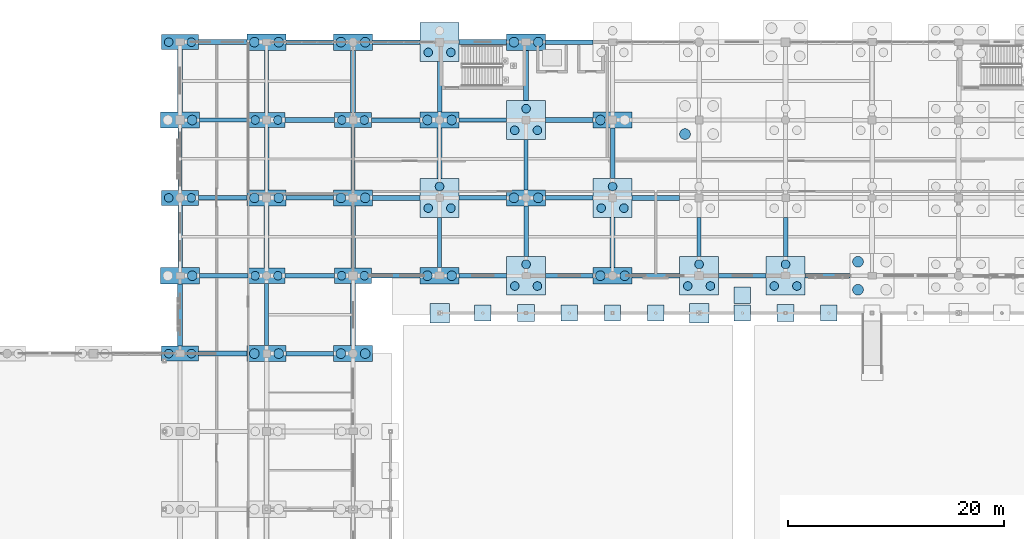
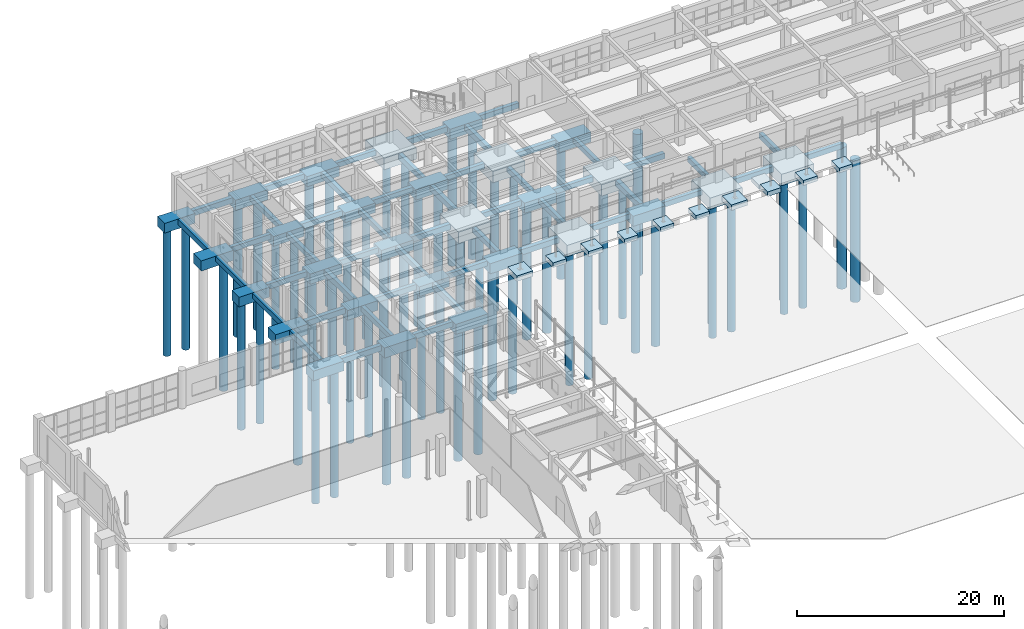
# One storey, part 4 of 166: 87 footings, 62 piles.
"""IFC4 building model written with IfcOpenShell, lengths in metres."""

from ifc_helpers import new_model, si_unit, direction, frame, origin, origin_2d, place, context, subcontext, project, spatial, rectangle, circle, extrude, material, material_profile, profile_set, type_object, element, save


model = new_model("IFC4")

# Units and contexts
model_context = context("Model", 3, precision=1e-05, world=origin(), true_north=direction((0.0, 1.0)))
body_context = subcontext(model_context, "Body", "Model", "MODEL_VIEW")
ifc_project = project(units=[si_unit("LENGTHUNIT", "METRE"), si_unit("AREAUNIT", "SQUARE_METRE"), si_unit("VOLUMEUNIT", "CUBIC_METRE"), si_unit("PLANEANGLEUNIT", "RADIAN"), si_unit("MASSUNIT", "GRAM", prefix="KILO")], contexts=[model_context])

# Site, building, storey
site_placement = place(None, origin())
site = spatial("IfcSite", under=ifc_project, at=site_placement, CompositionType="ELEMENT")
building_placement = place(site_placement, origin())
building = spatial("IfcBuilding", under=site, at=building_placement, Name="Kharva Crest Polytechnic", CompositionType="ELEMENT")
storey_placement = place(building_placement, origin())
storey = spatial("IfcBuildingStorey", under=building, at=storey_placement, Name="L00", CompositionType="ELEMENT", Elevation=0.0)

# Footings
ifc_material = material(Name="Concrete C35/45", Category="concrete")
footing_type_1 = type_object("IfcFootingType", Name="FTG-GB-400X600", PredefinedType="FOOTING_BEAM", material=ifc_material)
footing_1_placement = place(storey_placement, frame((51.949951171875, 100.39990234375, -1.005126953125), z_axis=(0.0, 0.0, 1.0), x_axis=(1.0, 0.0, 0.0)))
element("IfcFooting", 1, at=footing_1_placement, inside=storey, type_object=footing_type_1, Name="L00 Ground Tie Beam P/7-8", PredefinedType="FOOTING_BEAM", context=body_context, shape_type="SweptSolid", body=[
    extrude(rectangle(XDim=4.5, YDim=0.39990234375, at=origin_2d()), origin(), (0.0, 0.0, 1.0), 0.60009765625),
])
for number, where, z_axis, x_axis, name in (
    (2, (76.0, 100.39990234375, -1.005126953125), (0.0, 0.0, 1.0), (1.0, 0.0, 0.0), "L00 Ground Tie Beam P/10-11"),
    (3, (44.0, 107.60009765625, -1.005126953125), (0.0, 0.0, 1.0), (1.0, 0.0, 0.0), "L00 Ground Tie Beam Q/6-7"),
    (4, (68.0, 107.60009765625, -1.005126953125), (0.0, 0.0, 1.0), (1.0, 0.0, 0.0), "L00 Ground Tie Beam Q/9-10"),
):
    element("IfcFooting", number, at=place(storey_placement, frame(where, z_axis=z_axis, x_axis=x_axis)), inside=storey, type_object=footing_type_1, Name=name, PredefinedType="FOOTING_BEAM", context=body_context, shape_type="SweptSolid", body=[
        extrude(rectangle(XDim=4.39990234375, YDim=0.39990234375, at=origin_2d()), origin(), (0.0, 0.0, 1.0), 0.60009765625),
    ])
footing_2_placement = place(storey_placement, frame((36.050048828125, 114.800048828125, -1.005126953125), z_axis=(0.0, 0.0, 1.0), x_axis=(1.0, 0.0, 0.0)))
element("IfcFooting", 5, at=footing_2_placement, inside=storey, type_object=footing_type_1, Name="L00 Ground Tie Beam R/5-6", PredefinedType="FOOTING_BEAM", context=body_context, shape_type="SweptSolid", body=[
    extrude(rectangle(XDim=4.5, YDim=0.39990234375, at=origin_2d()), origin(), (0.0, 0.0, 1.0), 0.60009765625),
])
for number, where, z_axis, x_axis, name in (
    (6, (60.0, 114.800048828125, -1.005126953125), (0.0, 0.0, 1.0), (1.0, 0.0, 0.0), "L00 Ground Tie Beam R/8-9"),
    (7, (52.0, 122.0, -1.005126953125), (0.0, 0.0, 1.0), (1.0, 0.0, 0.0), "L00 Ground Tie Beam S/7-8"),
):
    element("IfcFooting", number, at=place(storey_placement, frame(where, z_axis=z_axis, x_axis=x_axis)), inside=storey, type_object=footing_type_1, Name=name, PredefinedType="FOOTING_BEAM", context=body_context, shape_type="SweptSolid", body=[
        extrude(rectangle(XDim=4.39990234375, YDim=0.39990234375, at=origin_2d()), origin(), (0.0, 0.0, 1.0), 0.60009765625),
    ])
for number, where, z_axis, x_axis, name in (
    (8, (32.0, 111.175048828125, -1.005126953125), (0.0, 0.0, 1.0), (0.0, 1.0, 0.0), "L00 Ground Tie Beam 5/Q-R"),
    (9, (40.0, 96.824951171875, -1.005126953125), (0.0, 0.0, 1.0), (0.0, 1.0, 0.0), "L00 Ground Tie Beam 6/N-P"),
    (10, (40.0, 118.375, -1.005126953125), (0.0, 0.0, 1.0), (0.0, 1.0, 0.0), "L00 Ground Tie Beam 6/R-S"),
    (11, (48.0, 111.22509765625, -1.005126953125), (0.0, 0.0, 1.0), (0.0, 1.0, 0.0), "L00 Ground Tie Beam 7/Q-R"),
):
    element("IfcFooting", number, at=place(storey_placement, frame(where, z_axis=z_axis, x_axis=x_axis)), inside=storey, type_object=footing_type_1, Name=name, PredefinedType="FOOTING_BEAM", context=body_context, shape_type="SweptSolid", body=[
        extrude(rectangle(XDim=5.75, YDim=0.39990234375, at=origin_2d()), origin(), (0.0, 0.0, 1.0), 0.60009765625),
    ])
for number, where, z_axis, x_axis, name in (
    (12, (56.0, 103.47509765625, -1.005126953125), (0.0, 0.0, 1.0), (0.0, 1.0, 0.0), "L00 Ground Tie Beam 8/P-Q"),
    (13, (64.0, 110.675048828125, -1.005126953125), (0.0, 0.0, 1.0), (0.0, 1.0, 0.0), "L00 Ground Tie Beam 9/Q-R"),
):
    element("IfcFooting", number, at=place(storey_placement, frame(where, z_axis=z_axis, x_axis=x_axis)), inside=storey, type_object=footing_type_1, Name=name, PredefinedType="FOOTING_BEAM", context=body_context, shape_type="SweptSolid", body=[
        extrude(rectangle(XDim=4.64990234375, YDim=0.39990234375, at=origin_2d()), origin(), (0.0, 0.0, 1.0), 0.60009765625),
    ])
footing_3_placement = place(storey_placement, frame((80.0, 104.0, -1.005126953125), z_axis=(0.0, 0.0, 1.0), x_axis=(0.0, 1.0, 0.0)))
element("IfcFooting", 14, at=footing_3_placement, inside=storey, type_object=footing_type_1, Name="L00 Ground Tie Beam 11/P-Q", PredefinedType="FOOTING_BEAM", context=body_context, shape_type="SweptSolid", body=[
    extrude(rectangle(XDim=3.60009765625, YDim=0.39990234375, at=origin_2d()), origin(), (0.0, 0.0, 1.0), 0.60009765625),
])
footing_type_2 = type_object("IfcFootingType", Name="FTG-GB-420X620", PredefinedType="FOOTING_BEAM", material=ifc_material)
footing_4_placement = place(storey_placement, frame((44.0, 93.199951171875, -1.025146484375), z_axis=(0.0, 0.0, 1.0), x_axis=(1.0, 0.0, 0.0)))
element("IfcFooting", 15, at=footing_4_placement, inside=storey, type_object=footing_type_2, Name="L00 Ground Tie Beam N/6-7", PredefinedType="FOOTING_BEAM", context=body_context, shape_type="SweptSolid", body=[
    extrude(rectangle(XDim=4.39990234375, YDim=0.419921875, at=origin_2d()), origin(), (0.0, 0.0, 1.0), 0.6201171875),
])
footing_5_placement = place(storey_placement, frame((44.0, 100.39990234375, -1.025146484375), z_axis=(0.0, 0.0, 1.0), x_axis=(1.0, 0.0, 0.0)))
element("IfcFooting", 16, at=footing_5_placement, inside=storey, type_object=footing_type_2, Name="L00 Ground Tie Beam P/6-7", PredefinedType="FOOTING_BEAM", context=body_context, shape_type="SweptSolid", body=[
    extrude(rectangle(XDim=4.60009765625, YDim=0.419921875, at=origin_2d()), origin(), (0.0, 0.0, 1.0), 0.6201171875),
])
footing_6_placement = place(storey_placement, frame((68.0, 100.39990234375, -1.025146484375), z_axis=(0.0, 0.0, 1.0), x_axis=(1.0, 0.0, 0.0)))
element("IfcFooting", 17, at=footing_6_placement, inside=storey, type_object=footing_type_2, Name="L00 Ground Tie Beam P/9-10", PredefinedType="FOOTING_BEAM", context=body_context, shape_type="SweptSolid", body=[
    extrude(rectangle(XDim=4.39990234375, YDim=0.419921875, at=origin_2d()), origin(), (0.0, 0.0, 1.0), 0.6201171875),
])
footing_7_placement = place(storey_placement, frame((91.875, 100.39990234375, -1.025146484375), z_axis=(0.0, 0.0, 1.0), x_axis=(1.0, 0.0, 0.0)))
element("IfcFooting", 18, at=footing_7_placement, inside=storey, type_object=footing_type_2, Name="L00 Ground Tie Beam P/12-13", PredefinedType="FOOTING_BEAM", context=body_context, shape_type="SweptSolid", body=[
    extrude(rectangle(XDim=4.14990234375, YDim=0.419921875, at=origin_2d()), origin(), (0.0, 0.0, 1.0), 0.6201171875),
])
footing_8_placement = place(storey_placement, frame((35.949951171875, 107.60009765625, -1.025146484375), z_axis=(0.0, 0.0, 1.0), x_axis=(1.0, 0.0, 0.0)))
element("IfcFooting", 19, at=footing_8_placement, inside=storey, type_object=footing_type_2, Name="L00 Ground Tie Beam Q/5-6", PredefinedType="FOOTING_BEAM", context=body_context, shape_type="SweptSolid", body=[
    extrude(rectangle(XDim=4.5, YDim=0.419921875, at=origin_2d()), origin(), (0.0, 0.0, 1.0), 0.6201171875),
])
footing_9_placement = place(storey_placement, frame((60.0, 107.60009765625, -1.025146484375), z_axis=(0.0, 0.0, 1.0), x_axis=(1.0, 0.0, 0.0)))
element("IfcFooting", 20, at=footing_9_placement, inside=storey, type_object=footing_type_2, Name="L00 Ground Tie Beam Q/8-9", PredefinedType="FOOTING_BEAM", context=body_context, shape_type="SweptSolid", body=[
    extrude(rectangle(XDim=4.39990234375, YDim=0.419921875, at=origin_2d()), origin(), (0.0, 0.0, 1.0), 0.6201171875),
])
footing_10_placement = place(storey_placement, frame((51.949951171875, 114.800048828125, -1.025146484375), z_axis=(0.0, 0.0, 1.0), x_axis=(1.0, 0.0, 0.0)))
element("IfcFooting", 21, at=footing_10_placement, inside=storey, type_object=footing_type_2, Name="L00 Ground Tie Beam R/7-8", PredefinedType="FOOTING_BEAM", context=body_context, shape_type="SweptSolid", body=[
    extrude(rectangle(XDim=4.5, YDim=0.419921875, at=origin_2d()), origin(), (0.0, 0.0, 1.0), 0.6201171875),
])
for number, where, z_axis, x_axis, name in (
    (22, (44.0, 122.0, -1.025146484375), (0.0, 0.0, 1.0), (1.0, 0.0, 0.0), "L00 Ground Tie Beam S/6-7"),
    (23, (68.0, 122.0, -1.025146484375), (0.0, 0.0, 1.0), (1.0, 0.0, 0.0), "L00 Ground Tie Beam S/9-10"),
):
    element("IfcFooting", number, at=place(storey_placement, frame(where, z_axis=z_axis, x_axis=x_axis)), inside=storey, type_object=footing_type_2, Name=name, PredefinedType="FOOTING_BEAM", context=body_context, shape_type="SweptSolid", body=[
        extrude(rectangle(XDim=4.39990234375, YDim=0.419921875, at=origin_2d()), origin(), (0.0, 0.0, 1.0), 0.6201171875),
    ])
for number, where, z_axis, x_axis, name in (
    (24, (32.0, 104.02490234375, -1.025146484375), (0.0, 0.0, 1.0), (0.0, 1.0, 0.0), "L00 Ground Tie Beam 5/P-Q"),
    (25, (40.0, 111.22509765625, -1.025146484375), (0.0, 0.0, 1.0), (0.0, 1.0, 0.0), "L00 Ground Tie Beam 6/Q-R"),
    (26, (48.0, 103.97509765625, -1.025146484375), (0.0, 0.0, 1.0), (0.0, 1.0, 0.0), "L00 Ground Tie Beam 7/P-Q"),
):
    element("IfcFooting", number, at=place(storey_placement, frame(where, z_axis=z_axis, x_axis=x_axis)), inside=storey, type_object=footing_type_2, Name=name, PredefinedType="FOOTING_BEAM", context=body_context, shape_type="SweptSolid", body=[
        extrude(rectangle(XDim=5.75, YDim=0.419921875, at=origin_2d()), origin(), (0.0, 0.0, 1.0), 0.6201171875),
    ])
for number, where, z_axis, x_axis, name in (
    (27, (56.0, 117.875, -1.025146484375), (0.0, 0.0, 1.0), (0.0, 1.0, 0.0), "L00 Ground Tie Beam 8/R-S"),
    (28, (64.0, 104.52490234375, -1.025146484375), (0.0, 0.0, 1.0), (0.0, 1.0, 0.0), "L00 Ground Tie Beam 9/P-Q"),
    (29, (72.0, 111.72509765625, -1.025146484375), (0.0, 0.0, 1.0), (0.0, 1.0, 0.0), "L00 Ground Tie Beam 10/Q-R"),
):
    element("IfcFooting", number, at=place(storey_placement, frame(where, z_axis=z_axis, x_axis=x_axis)), inside=storey, type_object=footing_type_2, Name=name, PredefinedType="FOOTING_BEAM", context=body_context, shape_type="SweptSolid", body=[
        extrude(rectangle(XDim=4.64990234375, YDim=0.419921875, at=origin_2d()), origin(), (0.0, 0.0, 1.0), 0.6201171875),
    ])
footing_11_placement = place(storey_placement, frame((88.0, 104.0, -1.025146484375), z_axis=(0.0, 0.0, 1.0), x_axis=(0.0, 1.0, 0.0)))
element("IfcFooting", 30, at=footing_11_placement, inside=storey, type_object=footing_type_2, Name="L00 Ground Tie Beam 12/P-Q", PredefinedType="FOOTING_BEAM", context=body_context, shape_type="SweptSolid", body=[
    extrude(rectangle(XDim=3.60009765625, YDim=0.419921875, at=origin_2d()), origin(), (0.0, 0.0, 1.0), 0.6201171875),
])
footing_type_3 = type_object("IfcFootingType", Name="FTG-GB-450X650", PredefinedType="FOOTING_BEAM", material=ifc_material)
for number, where, z_axis, x_axis, name in (
    (31, (35.949951171875, 93.199951171875, -1.054931640625), (0.0, 0.0, 1.0), (1.0, 0.0, 0.0), "L00 Ground Tie Beam N/5-6"),
    (32, (36.050048828125, 100.39990234375, -1.054931640625), (0.0, 0.0, 1.0), (1.0, 0.0, 0.0), "L00 Ground Tie Beam P/5-6"),
):
    element("IfcFooting", number, at=place(storey_placement, frame(where, z_axis=z_axis, x_axis=x_axis)), inside=storey, type_object=footing_type_3, Name=name, PredefinedType="FOOTING_BEAM", context=body_context, shape_type="SweptSolid", body=[
        extrude(rectangle(XDim=4.5, YDim=0.449951171875, at=origin_2d()), origin(), (0.0, 0.0, 1.0), 0.64990234375),
    ])
for number, where, z_axis, x_axis, name in (
    (33, (60.0, 100.39990234375, -1.054931640625), (0.0, 0.0, 1.0), (1.0, 0.0, 0.0), "L00 Ground Tie Beam P/8-9"),
    (34, (84.0, 100.39990234375, -1.054931640625), (0.0, 0.0, 1.0), (1.0, 0.0, 0.0), "L00 Ground Tie Beam P/11-12"),
    (35, (52.0, 107.60009765625, -1.054931640625), (0.0, 0.0, 1.0), (1.0, 0.0, 0.0), "L00 Ground Tie Beam Q/7-8"),
    (36, (76.0, 107.60009765625, -1.054931640625), (0.0, 0.0, 1.0), (1.0, 0.0, 0.0), "L00 Ground Tie Beam Q/10-11"),
):
    element("IfcFooting", number, at=place(storey_placement, frame(where, z_axis=z_axis, x_axis=x_axis)), inside=storey, type_object=footing_type_3, Name=name, PredefinedType="FOOTING_BEAM", context=body_context, shape_type="SweptSolid", body=[
        extrude(rectangle(XDim=4.39990234375, YDim=0.449951171875, at=origin_2d()), origin(), (0.0, 0.0, 1.0), 0.64990234375),
    ])
footing_12_placement = place(storey_placement, frame((44.0, 114.800048828125, -1.054931640625), z_axis=(0.0, 0.0, 1.0), x_axis=(1.0, 0.0, 0.0)))
element("IfcFooting", 37, at=footing_12_placement, inside=storey, type_object=footing_type_3, Name="L00 Ground Tie Beam R/6-7", PredefinedType="FOOTING_BEAM", context=body_context, shape_type="SweptSolid", body=[
    extrude(rectangle(XDim=4.60009765625, YDim=0.449951171875, at=origin_2d()), origin(), (0.0, 0.0, 1.0), 0.64990234375),
])
footing_13_placement = place(storey_placement, frame((68.0, 114.800048828125, -1.054931640625), z_axis=(0.0, 0.0, 1.0), x_axis=(1.0, 0.0, 0.0)))
element("IfcFooting", 38, at=footing_13_placement, inside=storey, type_object=footing_type_3, Name="L00 Ground Tie Beam R/9-10", PredefinedType="FOOTING_BEAM", context=body_context, shape_type="SweptSolid", body=[
    extrude(rectangle(XDim=4.39990234375, YDim=0.449951171875, at=origin_2d()), origin(), (0.0, 0.0, 1.0), 0.64990234375),
])
footing_14_placement = place(storey_placement, frame((35.949951171875, 122.0, -1.054931640625), z_axis=(0.0, 0.0, 1.0), x_axis=(1.0, 0.0, 0.0)))
element("IfcFooting", 39, at=footing_14_placement, inside=storey, type_object=footing_type_3, Name="L00 Ground Tie Beam S/5-6", PredefinedType="FOOTING_BEAM", context=body_context, shape_type="SweptSolid", body=[
    extrude(rectangle(XDim=4.5, YDim=0.449951171875, at=origin_2d()), origin(), (0.0, 0.0, 1.0), 0.64990234375),
])
footing_15_placement = place(storey_placement, frame((60.0, 122.0, -1.054931640625), z_axis=(0.0, 0.0, 1.0), x_axis=(1.0, 0.0, 0.0)))
element("IfcFooting", 40, at=footing_15_placement, inside=storey, type_object=footing_type_3, Name="L00 Ground Tie Beam S/8-9", PredefinedType="FOOTING_BEAM", context=body_context, shape_type="SweptSolid", body=[
    extrude(rectangle(XDim=4.39990234375, YDim=0.449951171875, at=origin_2d()), origin(), (0.0, 0.0, 1.0), 0.64990234375),
])
for number, where, z_axis, x_axis, name in (
    (41, (32.0, 96.77490234375, -1.054931640625), (0.0, 0.0, 1.0), (0.0, 1.0, 0.0), "L00 Ground Tie Beam 5/N-P"),
    (42, (32.0, 118.425048828125, -1.054931640625), (0.0, 0.0, 1.0), (0.0, 1.0, 0.0), "L00 Ground Tie Beam 5/R-S"),
    (43, (40.0, 103.97509765625, -1.054931640625), (0.0, 0.0, 1.0), (0.0, 1.0, 0.0), "L00 Ground Tie Beam 6/P-Q"),
    (44, (48.0, 96.824951171875, -1.054931640625), (0.0, 0.0, 1.0), (0.0, 1.0, 0.0), "L00 Ground Tie Beam 7/N-P"),
    (45, (48.0, 118.375, -1.054931640625), (0.0, 0.0, 1.0), (0.0, 1.0, 0.0), "L00 Ground Tie Beam 7/R-S"),
):
    element("IfcFooting", number, at=place(storey_placement, frame(where, z_axis=z_axis, x_axis=x_axis)), inside=storey, type_object=footing_type_3, Name=name, PredefinedType="FOOTING_BEAM", context=body_context, shape_type="SweptSolid", body=[
        extrude(rectangle(XDim=5.75, YDim=0.449951171875, at=origin_2d()), origin(), (0.0, 0.0, 1.0), 0.64990234375),
    ])
for number, where, z_axis, x_axis, name in (
    (46, (56.0, 111.72509765625, -1.054931640625), (0.0, 0.0, 1.0), (0.0, 1.0, 0.0), "L00 Ground Tie Beam 8/Q-R"),
    (47, (64.0, 118.925048828125, -1.054931640625), (0.0, 0.0, 1.0), (0.0, 1.0, 0.0), "L00 Ground Tie Beam 9/R-S"),
    (48, (72.0, 103.47509765625, -1.054931640625), (0.0, 0.0, 1.0), (0.0, 1.0, 0.0), "L00 Ground Tie Beam 10/P-Q"),
):
    element("IfcFooting", number, at=place(storey_placement, frame(where, z_axis=z_axis, x_axis=x_axis)), inside=storey, type_object=footing_type_3, Name=name, PredefinedType="FOOTING_BEAM", context=body_context, shape_type="SweptSolid", body=[
        extrude(rectangle(XDim=4.64990234375, YDim=0.449951171875, at=origin_2d()), origin(), (0.0, 0.0, 1.0), 0.64990234375),
    ])
footing_type_4 = type_object("IfcFootingType", Name="FTG-PAD-1500X1500", PredefinedType="PAD_FOOTING", material=ifc_material)
for number, where, z_axis, x_axis, name in (
    (49, (72.0, 96.949951171875, -0.5498046875), (0.0, 0.0, 1.0), (1.0, 0.0, 0.0), "L00 Colonnade Pad Footing VN03"),
    (50, (60.0, 96.949951171875, -0.5498046875), (0.0, 0.0, 1.0), (1.0, 0.0, 0.0), "L00 Colonnade Mid Pad Footing VNM01"),
    (51, (68.0, 96.949951171875, -0.5498046875), (0.0, 0.0, 1.0), (1.0, 0.0, 0.0), "L00 Colonnade Mid Pad Footing VNM02"),
    (52, (76.0, 96.949951171875, -0.5498046875), (0.0, 0.0, 1.0), (1.0, 0.0, 0.0), "L00 Colonnade Mid Pad Footing VNM03"),
    (53, (84.0, 96.949951171875, -0.5498046875), (0.0, 0.0, 1.0), (1.0, 0.0, 0.0), "L00 Colonnade Mid Pad Footing VNM04"),
    (54, (92.0, 96.949951171875, -0.5498046875), (0.0, 0.0, 1.0), (1.0, 0.0, 0.0), "L00 Colonnade Mid Pad Footing VNM05"),
):
    element("IfcFooting", number, at=place(storey_placement, frame(where, z_axis=z_axis, x_axis=x_axis)), inside=storey, type_object=footing_type_4, Name=name, PredefinedType="PAD_FOOTING", context=body_context, shape_type="SweptSolid", body=[
        extrude(rectangle(XDim=1.5, YDim=1.5, at=origin_2d()), origin(), (0.0, 0.0, 1.0), 0.550048828125),
    ])
footing_16_placement = place(storey_placement, frame((84.0, 98.60009765625, -0.699951171875), z_axis=(0.0, 0.0, 1.0), x_axis=(1.0, 0.0, 0.0)))
element("IfcFooting", 55, at=footing_16_placement, inside=storey, type_object=footing_type_4, Name="L00 Outdoor Slab Mid Pad VER_N_L00-W", PredefinedType="PAD_FOOTING", context=body_context, shape_type="SweptSolid", body=[
    extrude(rectangle(XDim=1.5, YDim=1.5, at=origin_2d()), origin(), (0.0, 0.0, 1.0), 0.5),
])
footing_type_5 = type_object("IfcFootingType", Name="FTG-PAD-1600X1600", PredefinedType="PAD_FOOTING", material=ifc_material)
for number, where, z_axis, x_axis, name in (
    (56, (64.0, 96.949951171875, -0.60009765625), (0.0, 0.0, 1.0), (1.0, 0.0, 0.0), "L00 Colonnade Pad Footing VN02"),
    (57, (88.0, 96.949951171875, -0.60009765625), (0.0, 0.0, 1.0), (1.0, 0.0, 0.0), "L00 Colonnade Pad Footing VN05"),
):
    element("IfcFooting", number, at=place(storey_placement, frame(where, z_axis=z_axis, x_axis=x_axis)), inside=storey, type_object=footing_type_5, Name=name, PredefinedType="PAD_FOOTING", context=body_context, shape_type="SweptSolid", body=[
        extrude(rectangle(XDim=1.60009765625, YDim=1.60009765625, at=origin_2d()), origin(), (0.0, 0.0, 1.0), 0.60009765625),
    ])
footing_type_6 = type_object("IfcFootingType", Name="FTG-PAD-1800X1800", PredefinedType="PAD_FOOTING", material=ifc_material)
for number, where, z_axis, x_axis, name in (
    (58, (56.0, 96.949951171875, -0.64990234375), (0.0, 0.0, 1.0), (1.0, 0.0, 0.0), "L00 Colonnade Pad Footing VN01"),
    (59, (80.0, 96.949951171875, -0.64990234375), (0.0, 0.0, 1.0), (1.0, 0.0, 0.0), "L00 Colonnade Pad Footing VN04"),
):
    element("IfcFooting", number, at=place(storey_placement, frame(where, z_axis=z_axis, x_axis=x_axis)), inside=storey, type_object=footing_type_6, Name=name, PredefinedType="PAD_FOOTING", context=body_context, shape_type="SweptSolid", body=[
        extrude(rectangle(XDim=1.800048828125, YDim=1.800048828125, at=origin_2d()), origin(), (0.0, 0.0, 1.0), 0.64990234375),
    ])
footing_type_7 = type_object("IfcFootingType", Name="FTG-PC-3400X1400", PredefinedType="PILE_CAP", material=ifc_material)
for number, where, z_axis, x_axis, name in (
    (60, (32.0, 93.199951171875, -1.554931640625), (0.0, 0.0, 1.0), (1.0, 0.0, 0.0), "L00 Pile Cap 5/N"),
    (61, (32.0, 107.60009765625, -1.554931640625), (0.0, 0.0, 1.0), (1.0, 0.0, 0.0), "L00 Pile Cap 5/Q"),
    (62, (32.0, 122.0, -1.554931640625), (0.0, 0.0, 1.0), (1.0, 0.0, 0.0), "L00 Pile Cap 5/S"),
    (63, (40.0, 100.39990234375, -1.554931640625), (0.0, 0.0, 1.0), (1.0, 0.0, 0.0), "L00 Pile Cap 6/P"),
    (64, (40.0, 114.800048828125, -1.554931640625), (0.0, 0.0, 1.0), (1.0, 0.0, 0.0), "L00 Pile Cap 6/R"),
    (65, (48.0, 100.39990234375, -1.554931640625), (0.0, 0.0, 1.0), (1.0, 0.0, 0.0), "L00 Pile Cap 7/P"),
    (66, (48.0, 114.800048828125, -1.554931640625), (0.0, 0.0, 1.0), (1.0, 0.0, 0.0), "L00 Pile Cap 7/R"),
):
    element("IfcFooting", number, at=place(storey_placement, frame(where, z_axis=z_axis, x_axis=x_axis)), inside=storey, type_object=footing_type_7, Name=name, PredefinedType="PILE_CAP", context=body_context, shape_type="SweptSolid", body=[
        extrude(rectangle(XDim=3.39990234375, YDim=1.39990234375, at=origin_2d()), origin(), (0.0, 0.0, 1.0), 1.14990234375),
    ])
footing_type_8 = type_object("IfcFootingType", Name="FTG-PC-3600X1500", PredefinedType="PILE_CAP", material=ifc_material)
for number, where, z_axis, x_axis, name in (
    (67, (72.0, 100.39990234375, -1.60498046875), (0.0, 0.0, 1.0), (1.0, 0.0, 0.0), "L00 Pile Cap 10/P"),
    (68, (72.0, 114.800048828125, -1.60498046875), (0.0, 0.0, 1.0), (1.0, 0.0, 0.0), "L00 Pile Cap 10/R"),
    (69, (32.0, 100.39990234375, -1.60498046875), (0.0, 0.0, 1.0), (1.0, 0.0, 0.0), "L00 Pile Cap 5/P"),
    (70, (32.0, 114.800048828125, -1.60498046875), (0.0, 0.0, 1.0), (1.0, 0.0, 0.0), "L00 Pile Cap 5/R"),
    (71, (40.0, 93.199951171875, -1.60498046875), (0.0, 0.0, 1.0), (1.0, 0.0, 0.0), "L00 Pile Cap 6/N"),
    (72, (40.0, 107.60009765625, -1.60498046875), (0.0, 0.0, 1.0), (1.0, 0.0, 0.0), "L00 Pile Cap 6/Q"),
    (73, (40.0, 122.0, -1.60498046875), (0.0, 0.0, 1.0), (1.0, 0.0, 0.0), "L00 Pile Cap 6/S"),
    (74, (48.0, 93.199951171875, -1.60498046875), (0.0, 0.0, 1.0), (1.0, 0.0, 0.0), "L00 Pile Cap 7/N"),
    (75, (48.0, 107.60009765625, -1.60498046875), (0.0, 0.0, 1.0), (1.0, 0.0, 0.0), "L00 Pile Cap 7/Q"),
    (76, (48.0, 122.0, -1.60498046875), (0.0, 0.0, 1.0), (1.0, 0.0, 0.0), "L00 Pile Cap 7/S"),
    (77, (56.0, 100.39990234375, -1.60498046875), (0.0, 0.0, 1.0), (1.0, 0.0, 0.0), "L00 Pile Cap 8/P"),
    (78, (56.0, 114.800048828125, -1.60498046875), (0.0, 0.0, 1.0), (1.0, 0.0, 0.0), "L00 Pile Cap 8/R"),
    (79, (64.0, 107.60009765625, -1.60498046875), (0.0, 0.0, 1.0), (1.0, 0.0, 0.0), "L00 Pile Cap 9/Q"),
    (80, (64.0, 122.0, -1.60498046875), (0.0, 0.0, 1.0), (1.0, 0.0, 0.0), "L00 Pile Cap 9/S"),
):
    element("IfcFooting", number, at=place(storey_placement, frame(where, z_axis=z_axis, x_axis=x_axis)), inside=storey, type_object=footing_type_8, Name=name, PredefinedType="PILE_CAP", context=body_context, shape_type="SweptSolid", body=[
        extrude(rectangle(XDim=3.60009765625, YDim=1.5, at=origin_2d()), origin(), (0.0, 0.0, 1.0), 1.199951171875),
    ])
footing_type_9 = type_object("IfcFootingType", Name="FTG-PC-3600X3600", PredefinedType="PILE_CAP", material=ifc_material)
for number, where, z_axis, x_axis, name in (
    (81, (72.0, 107.60009765625, -1.755126953125), (0.0, 0.0, 1.0), (1.0, 0.0, 0.0), "L00 Pile Cap 10/Q"),
    (82, (80.0, 100.39990234375, -1.755126953125), (0.0, 0.0, 1.0), (1.0, 0.0, 0.0), "L00 Pile Cap 11/P"),
    (83, (88.0, 100.39990234375, -1.755126953125), (0.0, 0.0, 1.0), (1.0, 0.0, 0.0), "L00 Pile Cap 12/P"),
    (84, (56.0, 107.60009765625, -1.755126953125), (0.0, 0.0, 1.0), (1.0, 0.0, 0.0), "L00 Pile Cap 8/Q"),
    (85, (56.0, 122.0, -1.755126953125), (0.0, 0.0, 1.0), (1.0, 0.0, 0.0), "L00 Pile Cap 8/S"),
    (86, (64.0, 100.39990234375, -1.755126953125), (0.0, 0.0, 1.0), (1.0, 0.0, 0.0), "L00 Pile Cap 9/P"),
    (87, (64.0, 114.800048828125, -1.755126953125), (0.0, 0.0, 1.0), (1.0, 0.0, 0.0), "L00 Pile Cap 9/R"),
):
    element("IfcFooting", number, at=place(storey_placement, frame(where, z_axis=z_axis, x_axis=x_axis)), inside=storey, type_object=footing_type_9, Name=name, PredefinedType="PILE_CAP", context=body_context, shape_type="SweptSolid", body=[
        extrude(rectangle(XDim=3.60009765625, YDim=3.60009765625, at=origin_2d()), origin(), (0.0, 0.0, 1.0), 1.35009765625),
    ])

# Piles
ifc_material_profile_1 = material_profile(ifc_material, circle(Radius=0.5, at=origin_2d()), Name="DIA 1000")
ifc_profile_set_1 = profile_set([ifc_material_profile_1], Name="Concrete C35/45")
pile_type_1 = type_object("IfcPileType", Name="PILE-BORED-1000", PredefinedType="BORED", material=ifc_profile_set_1)
for number, where, z_axis, x_axis, name in (
    (88, (78.699951171875, 113.5, -1.7548828125), (0.0, 0.0, -1.0), (1.0, 0.0, 0.0), "L00 Bored Pile 11/R-1"),
    (89, (94.699951171875, 99.10009765625, -1.7548828125), (0.0, 0.0, -1.0), (1.0, 0.0, 0.0), "L00 Bored Pile 13/P-1"),
    (90, (94.699951171875, 101.699951171875, -1.7548828125), (0.0, 0.0, -1.0), (1.0, 0.0, 0.0), "L00 Bored Pile 13/P-3"),
):
    element("IfcPile", number, at=place(storey_placement, frame(where, z_axis=z_axis, x_axis=x_axis)), inside=storey, type_object=pile_type_1, Name=name, PredefinedType="BORED", context=body_context, shape_type="SweptSolid", body=[
        extrude(circle(Radius=0.5, at=origin_2d()), origin(), (0.0, 0.0, 1.0), 16.7451171875),
    ])
ifc_material_profile_2 = material_profile(ifc_material, circle(Radius=0.39990234375, at=origin_2d()), Name="DIA 800")
ifc_profile_set_2 = profile_set([ifc_material_profile_2], Name="Concrete C35/45")
pile_type_2 = type_object("IfcPileType", Name="PILE-BORED-800", PredefinedType="BORED", material=ifc_profile_set_2)
for number, where, z_axis, x_axis, name in (
    (91, (70.949951171875, 106.64990234375, -1.655029296875), (0.0, 0.0, -1.0), (1.0, 0.0, 0.0), "L00 Bored Pile 10/Q-1"),
    (92, (73.050048828125, 106.64990234375, -1.655029296875), (0.0, 0.0, -1.0), (1.0, 0.0, 0.0), "L00 Bored Pile 10/Q-2"),
    (93, (72.0, 108.64990234375, -1.655029296875), (0.0, 0.0, -1.0), (1.0, 0.0, 0.0), "L00 Bored Pile 10/Q-3"),
    (94, (78.949951171875, 99.449951171875, -1.655029296875), (0.0, 0.0, -1.0), (1.0, 0.0, 0.0), "L00 Bored Pile 11/P-1"),
    (95, (81.050048828125, 99.449951171875, -1.655029296875), (0.0, 0.0, -1.0), (1.0, 0.0, 0.0), "L00 Bored Pile 11/P-2"),
    (96, (80.0, 101.449951171875, -1.655029296875), (0.0, 0.0, -1.0), (1.0, 0.0, 0.0), "L00 Bored Pile 11/P-3"),
    (97, (86.949951171875, 99.449951171875, -1.655029296875), (0.0, 0.0, -1.0), (1.0, 0.0, 0.0), "L00 Bored Pile 12/P-1"),
    (98, (89.050048828125, 99.449951171875, -1.655029296875), (0.0, 0.0, -1.0), (1.0, 0.0, 0.0), "L00 Bored Pile 12/P-2"),
    (99, (88.0, 101.449951171875, -1.655029296875), (0.0, 0.0, -1.0), (1.0, 0.0, 0.0), "L00 Bored Pile 12/P-3"),
):
    element("IfcPile", number, at=place(storey_placement, frame(where, z_axis=z_axis, x_axis=x_axis)), inside=storey, type_object=pile_type_2, Name=name, PredefinedType="BORED", context=body_context, shape_type="SweptSolid", body=[
        extrude(circle(Radius=0.39990234375, at=origin_2d()), origin(), (0.0, 0.0, 1.0), 15.844970703125),
    ])
for number, where, z_axis, x_axis, name in (
    (100, (30.949951171875, 93.199951171875, -1.455078125), (0.0, 0.0, -1.0), (1.0, 0.0, 0.0), "L00 Bored Pile 5/N-1"),
    (101, (33.050048828125, 93.199951171875, -1.455078125), (0.0, 0.0, -1.0), (1.0, 0.0, 0.0), "L00 Bored Pile 5/N-2"),
    (102, (30.949951171875, 107.60009765625, -1.455078125), (0.0, 0.0, -1.0), (1.0, 0.0, 0.0), "L00 Bored Pile 5/Q-1"),
    (103, (33.050048828125, 107.60009765625, -1.455078125), (0.0, 0.0, -1.0), (1.0, 0.0, 0.0), "L00 Bored Pile 5/Q-2"),
    (104, (30.949951171875, 122.0, -1.455078125), (0.0, 0.0, -1.0), (1.0, 0.0, 0.0), "L00 Bored Pile 5/S-1"),
    (105, (33.050048828125, 122.0, -1.455078125), (0.0, 0.0, -1.0), (1.0, 0.0, 0.0), "L00 Bored Pile 5/S-2"),
    (106, (38.949951171875, 100.39990234375, -1.455078125), (0.0, 0.0, -1.0), (1.0, 0.0, 0.0), "L00 Bored Pile 6/P-1"),
    (107, (41.050048828125, 100.39990234375, -1.455078125), (0.0, 0.0, -1.0), (1.0, 0.0, 0.0), "L00 Bored Pile 6/P-2"),
    (108, (38.949951171875, 114.800048828125, -1.455078125), (0.0, 0.0, -1.0), (1.0, 0.0, 0.0), "L00 Bored Pile 6/R-1"),
    (109, (41.050048828125, 114.800048828125, -1.455078125), (0.0, 0.0, -1.0), (1.0, 0.0, 0.0), "L00 Bored Pile 6/R-2"),
    (110, (46.949951171875, 100.39990234375, -1.455078125), (0.0, 0.0, -1.0), (1.0, 0.0, 0.0), "L00 Bored Pile 7/P-1"),
    (111, (49.050048828125, 100.39990234375, -1.455078125), (0.0, 0.0, -1.0), (1.0, 0.0, 0.0), "L00 Bored Pile 7/P-2"),
    (112, (46.949951171875, 114.800048828125, -1.455078125), (0.0, 0.0, -1.0), (1.0, 0.0, 0.0), "L00 Bored Pile 7/R-1"),
    (113, (49.050048828125, 114.800048828125, -1.455078125), (0.0, 0.0, -1.0), (1.0, 0.0, 0.0), "L00 Bored Pile 7/R-2"),
):
    element("IfcPile", number, at=place(storey_placement, frame(where, z_axis=z_axis, x_axis=x_axis)), inside=storey, type_object=pile_type_2, Name=name, PredefinedType="BORED", context=body_context, shape_type="SweptSolid", body=[
        extrude(circle(Radius=0.39990234375, at=origin_2d()), origin(), (0.0, 0.0, 1.0), 15.044921875),
    ])
for number, where, z_axis, x_axis, name in (
    (114, (54.949951171875, 106.64990234375, -1.655029296875), (0.0, 0.0, -1.0), (1.0, 0.0, 0.0), "L00 Bored Pile 8/Q-1"),
    (115, (57.050048828125, 106.64990234375, -1.655029296875), (0.0, 0.0, -1.0), (1.0, 0.0, 0.0), "L00 Bored Pile 8/Q-2"),
    (116, (56.0, 108.64990234375, -1.655029296875), (0.0, 0.0, -1.0), (1.0, 0.0, 0.0), "L00 Bored Pile 8/Q-3"),
    (117, (54.949951171875, 121.050048828125, -1.655029296875), (0.0, 0.0, -1.0), (1.0, 0.0, 0.0), "L00 Bored Pile 8/S-1"),
    (118, (57.050048828125, 121.050048828125, -1.655029296875), (0.0, 0.0, -1.0), (1.0, 0.0, 0.0), "L00 Bored Pile 8/S-2"),
    (119, (62.949951171875, 99.449951171875, -1.655029296875), (0.0, 0.0, -1.0), (1.0, 0.0, 0.0), "L00 Bored Pile 9/P-1"),
    (120, (65.050048828125, 99.449951171875, -1.655029296875), (0.0, 0.0, -1.0), (1.0, 0.0, 0.0), "L00 Bored Pile 9/P-2"),
    (121, (64.0, 101.449951171875, -1.655029296875), (0.0, 0.0, -1.0), (1.0, 0.0, 0.0), "L00 Bored Pile 9/P-3"),
    (122, (62.949951171875, 113.85009765625, -1.655029296875), (0.0, 0.0, -1.0), (1.0, 0.0, 0.0), "L00 Bored Pile 9/R-1"),
    (123, (65.050048828125, 113.85009765625, -1.655029296875), (0.0, 0.0, -1.0), (1.0, 0.0, 0.0), "L00 Bored Pile 9/R-2"),
    (124, (64.0, 115.85009765625, -1.655029296875), (0.0, 0.0, -1.0), (1.0, 0.0, 0.0), "L00 Bored Pile 9/R-3"),
):
    element("IfcPile", number, at=place(storey_placement, frame(where, z_axis=z_axis, x_axis=x_axis)), inside=storey, type_object=pile_type_2, Name=name, PredefinedType="BORED", context=body_context, shape_type="SweptSolid", body=[
        extrude(circle(Radius=0.39990234375, at=origin_2d()), origin(), (0.0, 0.0, 1.0), 15.844970703125),
    ])
ifc_material_profile_3 = material_profile(ifc_material, circle(Radius=0.449951171875, at=origin_2d()), Name="DIA 900")
ifc_profile_set_3 = profile_set([ifc_material_profile_3], Name="Concrete C35/45")
pile_type_3 = type_object("IfcPileType", Name="PILE-BORED-900", PredefinedType="BORED", material=ifc_profile_set_3)
for number, where, z_axis, x_axis, name in (
    (125, (70.875, 100.39990234375, -1.5048828125), (0.0, 0.0, -1.0), (1.0, 0.0, 0.0), "L00 Bored Pile 10/P-1"),
    (126, (73.125, 100.39990234375, -1.5048828125), (0.0, 0.0, -1.0), (1.0, 0.0, 0.0), "L00 Bored Pile 10/P-2"),
    (127, (70.875, 114.800048828125, -1.5048828125), (0.0, 0.0, -1.0), (1.0, 0.0, 0.0), "L00 Bored Pile 10/R-1"),
    (128, (33.125, 100.39990234375, -1.5048828125), (0.0, 0.0, -1.0), (1.0, 0.0, 0.0), "L00 Bored Pile 5/P-2"),
    (129, (33.125, 114.800048828125, -1.5048828125), (0.0, 0.0, -1.0), (1.0, 0.0, 0.0), "L00 Bored Pile 5/R-2"),
    (130, (38.875, 93.199951171875, -1.5048828125), (0.0, 0.0, -1.0), (1.0, 0.0, 0.0), "L00 Bored Pile 6/N-1"),
    (131, (41.125, 93.199951171875, -1.5048828125), (0.0, 0.0, -1.0), (1.0, 0.0, 0.0), "L00 Bored Pile 6/N-2"),
    (132, (38.875, 107.60009765625, -1.5048828125), (0.0, 0.0, -1.0), (1.0, 0.0, 0.0), "L00 Bored Pile 6/Q-1"),
    (133, (41.125, 107.60009765625, -1.5048828125), (0.0, 0.0, -1.0), (1.0, 0.0, 0.0), "L00 Bored Pile 6/Q-2"),
    (134, (38.875, 122.0, -1.5048828125), (0.0, 0.0, -1.0), (1.0, 0.0, 0.0), "L00 Bored Pile 6/S-1"),
    (135, (41.125, 122.0, -1.5048828125), (0.0, 0.0, -1.0), (1.0, 0.0, 0.0), "L00 Bored Pile 6/S-2"),
    (136, (46.875, 93.199951171875, -1.5048828125), (0.0, 0.0, -1.0), (1.0, 0.0, 0.0), "L00 Bored Pile 7/N-1"),
    (137, (49.125, 93.199951171875, -1.5048828125), (0.0, 0.0, -1.0), (1.0, 0.0, 0.0), "L00 Bored Pile 7/N-2"),
    (138, (46.875, 107.60009765625, -1.5048828125), (0.0, 0.0, -1.0), (1.0, 0.0, 0.0), "L00 Bored Pile 7/Q-1"),
    (139, (49.125, 107.60009765625, -1.5048828125), (0.0, 0.0, -1.0), (1.0, 0.0, 0.0), "L00 Bored Pile 7/Q-2"),
    (140, (46.875, 122.0, -1.5048828125), (0.0, 0.0, -1.0), (1.0, 0.0, 0.0), "L00 Bored Pile 7/S-1"),
    (141, (49.125, 122.0, -1.5048828125), (0.0, 0.0, -1.0), (1.0, 0.0, 0.0), "L00 Bored Pile 7/S-2"),
    (142, (54.875, 100.39990234375, -1.5048828125), (0.0, 0.0, -1.0), (1.0, 0.0, 0.0), "L00 Bored Pile 8/P-1"),
    (143, (57.125, 100.39990234375, -1.5048828125), (0.0, 0.0, -1.0), (1.0, 0.0, 0.0), "L00 Bored Pile 8/P-2"),
    (144, (54.875, 114.800048828125, -1.5048828125), (0.0, 0.0, -1.0), (1.0, 0.0, 0.0), "L00 Bored Pile 8/R-1"),
    (145, (57.125, 114.800048828125, -1.5048828125), (0.0, 0.0, -1.0), (1.0, 0.0, 0.0), "L00 Bored Pile 8/R-2"),
    (146, (62.875, 107.60009765625, -1.5048828125), (0.0, 0.0, -1.0), (1.0, 0.0, 0.0), "L00 Bored Pile 9/Q-1"),
    (147, (65.125, 107.60009765625, -1.5048828125), (0.0, 0.0, -1.0), (1.0, 0.0, 0.0), "L00 Bored Pile 9/Q-2"),
    (148, (62.875, 122.0, -1.5048828125), (0.0, 0.0, -1.0), (1.0, 0.0, 0.0), "L00 Bored Pile 9/S-1"),
    (149, (65.125, 122.0, -1.5048828125), (0.0, 0.0, -1.0), (1.0, 0.0, 0.0), "L00 Bored Pile 9/S-2"),
):
    element("IfcPile", number, at=place(storey_placement, frame(where, z_axis=z_axis, x_axis=x_axis)), inside=storey, type_object=pile_type_3, Name=name, PredefinedType="BORED", context=body_context, shape_type="SweptSolid", body=[
        extrude(circle(Radius=0.449951171875, at=origin_2d()), origin(), (0.0, 0.0, 1.0), 15.4951171875),
    ])

save(model, "model.ifc")
